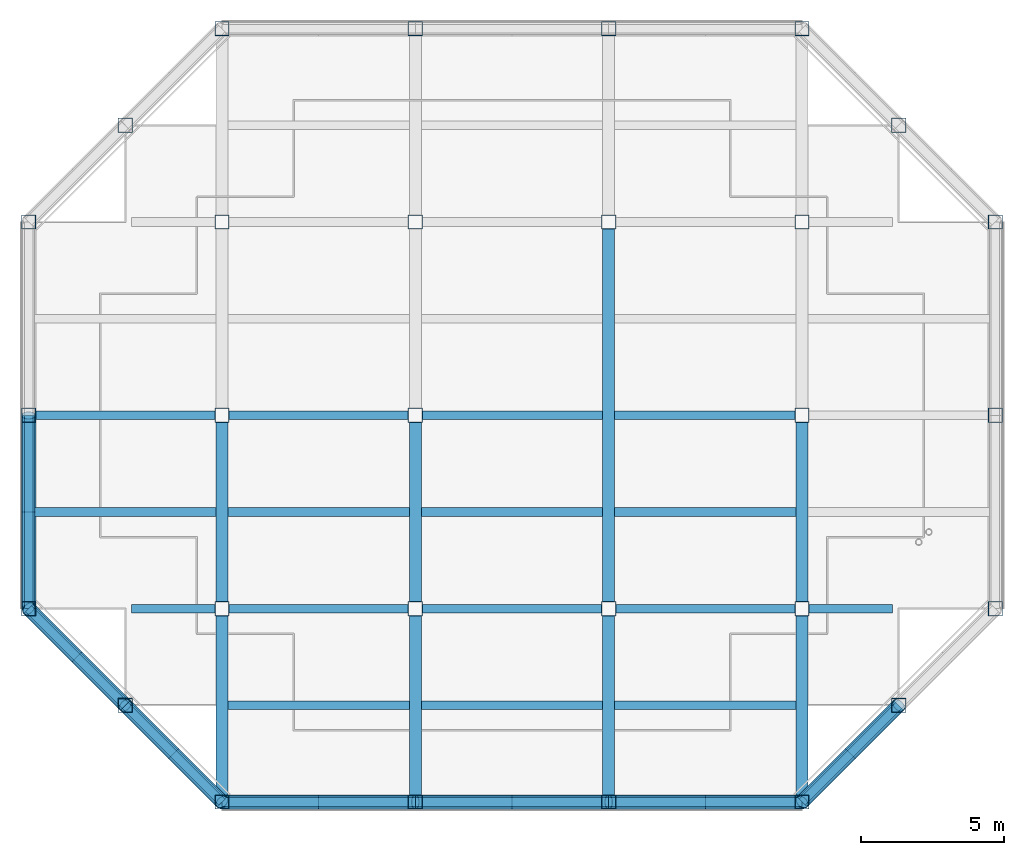
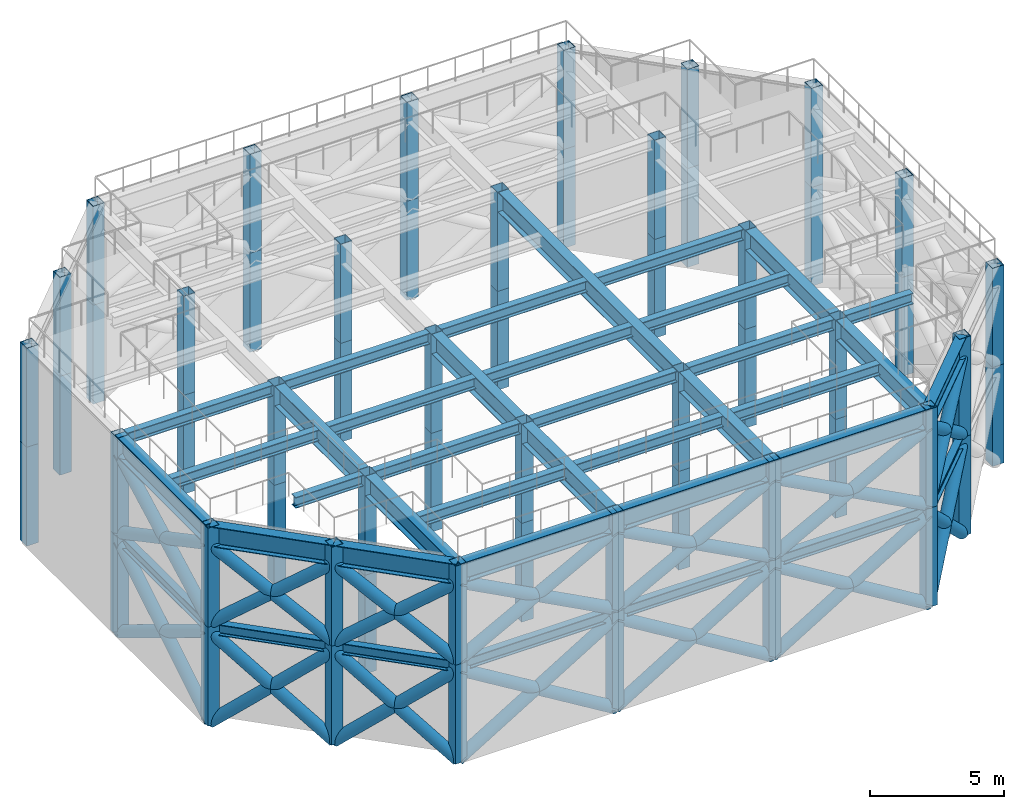
# One storey, part 1 of 5: 58 columns, 38 beams, 28 members.
"""IFC4 building model written with IfcOpenShell, lengths in metres."""

import ifcopenshell
import ifcopenshell.guid

model = None  # the IFC model being written
_history = None  # IfcOwnerHistory: only IFC2X3 demands one
_inside = {}  # id of a spatial element -> (the spatial element, [elements in it])
_under = {}  # id of a project, library or spatial element -> (it, [spatial elements below it])
_declared = {}  # id of a project -> (the project, [libraries it declares])
_typed = {}  # id of a type object -> (the type object, [elements of that type])
_made_of = {}  # id of a material, layer set ... -> (it, [elements and type objects made of it])


def new_model(schema):
    """Start an empty IFC model of exactly this schema.

    Asked for "IFC4X3", IfcOpenShell would pick the latest addendum, in which some entities
    have other attributes; the version numbers below select the first issue.
    IFC2X3 requires an IfcOwnerHistory on every rooted entity: one is made here for all.
    """
    global model, _history
    if schema == "IFC4X3":
        model = ifcopenshell.file(schema_version=(4, 3, 0, 0))
    else:
        model = ifcopenshell.file(schema=schema)
    _inside.clear()
    _under.clear()
    _declared.clear()
    _typed.clear()
    _made_of.clear()
    _history = None
    if model.schema == "IFC2X3":
        org = make("IfcOrganization", Name="unknown")
        user = make(
            "IfcPersonAndOrganization",
            ThePerson=make("IfcPerson", FamilyName="unknown"),
            TheOrganization=org,
        )
        app = make(
            "IfcApplication",
            ApplicationDeveloper=org,
            Version="unknown",
            ApplicationFullName="unknown",
            ApplicationIdentifier="unknown",
        )
        _history = make(
            "IfcOwnerHistory",
            OwningUser=user,
            OwningApplication=app,
            ChangeAction="ADDED",
            CreationDate=0,
        )
    return model


def make(cls, **values):
    """One entity of the class cls with the attributes given. An attribute that is None is left unset."""
    return model.create_entity(
        cls, **{name: value for name, value in values.items() if value is not None}
    )


def rooted(cls, **values):
    """An entity with a GlobalId (a new one), such as an element, a storey or a relation."""
    return make(cls, GlobalId=ifcopenshell.guid.new(), OwnerHistory=_history, **values)


def si_unit(unit_type, name, prefix=None):
    """IfcSIUnit, for example si_unit("LENGTHUNIT", "METRE", prefix="MILLI")."""
    return make("IfcSIUnit", UnitType=unit_type, Prefix=prefix, Name=name)


def assignment(units):
    """IfcUnitAssignment: the units of a project."""
    return None if units is None else make("IfcUnitAssignment", Units=units)


def point(xyz):
    """IfcCartesianPoint."""
    return None if xyz is None else make("IfcCartesianPoint", Coordinates=xyz)


def direction(xyz):
    """IfcDirection."""
    return None if xyz is None else make("IfcDirection", DirectionRatios=xyz)


def frame(location, z_axis=None, x_axis=None):
    """IfcAxis2Placement3D, a coordinate frame: its origin and axes. An axis left out is left unset."""
    return make(
        "IfcAxis2Placement3D",
        Location=point(location),
        Axis=direction(z_axis),
        RefDirection=direction(x_axis),
    )


def frame_2d(location, x_axis=None):
    """IfcAxis2Placement2D, a coordinate frame in the plane: its origin and x axis."""
    return make(
        "IfcAxis2Placement2D", Location=point(location), RefDirection=direction(x_axis)
    )


def origin():
    """The frame at (0, 0, 0) with its axes left unset."""
    return frame((0.0, 0.0, 0.0))


def origin_2d():
    """The frame at (0, 0) in the plane with its x axis left unset."""
    return frame_2d((0.0, 0.0))


def place(relative_to, where):
    """IfcLocalPlacement: puts the frame where relative to a parent placement (None: the world)."""
    return make(
        "IfcLocalPlacement", PlacementRelTo=relative_to, RelativePlacement=where
    )


def context(
    kind, dimensions, precision=None, world=None, true_north=None, identifier=None
):
    """IfcGeometricRepresentationContext, for example the 3D "Model" context."""
    return make(
        "IfcGeometricRepresentationContext",
        ContextIdentifier=identifier,
        ContextType=kind,
        CoordinateSpaceDimension=dimensions,
        Precision=precision,
        WorldCoordinateSystem=world,
        TrueNorth=true_north,
    )


def subcontext(parent, identifier, kind, view, scale=None):
    """IfcGeometricRepresentationSubContext, for example "Body" below "Model"."""
    return make(
        "IfcGeometricRepresentationSubContext",
        ContextIdentifier=identifier,
        ContextType=kind,
        ParentContext=parent,
        TargetScale=scale,
        TargetView=view,
    )


def project(units=None, contexts=None):
    """IfcProject with its units and contexts."""
    return rooted(
        "IfcProject",
        Name="project",
        RepresentationContexts=contexts,
        UnitsInContext=assignment(units),
    )


def spatial(cls, under=None, at=None, **own):
    """A site, building, storey or space (cls), placed at a placement, below another one or the project."""
    s = rooted(cls, ObjectPlacement=at, **own)
    if under is not None:
        _under.setdefault(under.id(), (under, []))[1].append(s)
    return s


def profile(cls, at=None, kind="AREA", **sizes):
    """A parametric profile (cls). Its sizes go by their IFC names, for example OverallWidth=200.0."""
    return make(cls, ProfileType=kind, Position=at, **sizes)


def hollow_rectangle(**sizes):
    """IfcRectangleHollowProfileDef."""
    return profile("IfcRectangleHollowProfileDef", **sizes)


def hollow_circle(**sizes):
    """IfcCircleHollowProfileDef."""
    return profile("IfcCircleHollowProfileDef", **sizes)


def i_section(**sizes):
    """IfcIShapeProfileDef."""
    return profile("IfcIShapeProfileDef", **sizes)


def extrude(swept, where, along, depth):
    """IfcExtrudedAreaSolid: the profile swept, set in the frame where, extruded along a direction by depth."""
    return make(
        "IfcExtrudedAreaSolid",
        SweptArea=swept,
        Position=where,
        ExtrudedDirection=direction(along),
        Depth=depth,
    )


def shape(context_of_items, identifier, shape_type, items):
    """IfcShapeRepresentation: the items that make up one representation, for example the "Body"."""
    return make(
        "IfcShapeRepresentation",
        ContextOfItems=context_of_items,
        RepresentationIdentifier=identifier,
        RepresentationType=shape_type,
        Items=items,
    )


def material(Name=None, Category=None):
    """IfcMaterial."""
    return make("IfcMaterial", Name=Name, Category=Category)


def material_profile(
    of_material, cross_section, Name=None, Category=None, Priority=None
):
    """IfcMaterialProfile: a cross section and its material."""
    return make(
        "IfcMaterialProfile",
        Name=Name,
        Material=of_material,
        Profile=cross_section,
        Priority=Priority,
        Category=Category,
    )


def profile_set(profiles, Name=None, composite=None):
    """IfcMaterialProfileSet."""
    return make(
        "IfcMaterialProfileSet",
        Name=Name,
        MaterialProfiles=profiles,
        CompositeProfile=composite,
    )


def made_of(thing, what):
    """Note that an element or type object is made of a material, layer set ...; save() writes the relation."""
    if what is not None:
        _made_of.setdefault(what.id(), (what, []))[1].append(thing)
    return thing


def type_object(cls, material=None, **own):
    """A type object (cls), such as IfcWallType, which elements share."""
    return made_of(rooted(cls, **own), material)


def element(
    cls,
    number,
    at=None,
    inside=None,
    cuts=None,
    type_object=None,
    material=None,
    context=None,
    identifier="Body",
    shape_type=None,
    held_by="IfcProductDefinitionShape",
    body=None,
    shapes=None,
    **own,
):
    """One element of the class cls, such as IfcWall. Its Tag is "e" and its number.

    at: its placement. inside: the storey or other place that contains it. cuts: it is an
    opening in that element (IfcRelVoidsElement). A single representation is given by context,
    identifier, shape_type and body (its items); several are given by shapes. held_by: the class
    of the entity that holds the representations. save() writes the other relations.
    """
    e = rooted(cls, Tag="e%d" % number, ObjectPlacement=at, **own)
    if body is not None:
        shapes = [shape(context, identifier, shape_type, body)]
    if shapes is not None:
        e.Representation = make(held_by, Representations=shapes)
    if inside is not None:
        _inside.setdefault(inside.id(), (inside, []))[1].append(e)
    if cuts is not None:
        rooted(
            "IfcRelVoidsElement", RelatingBuildingElement=cuts, RelatedOpeningElement=e
        )
    if type_object is not None:
        _typed.setdefault(type_object.id(), (type_object, []))[1].append(e)
    return made_of(e, material)


def aggregate(whole, parts):
    """IfcRelAggregates: a whole, such as a stair, and the parts it consists of."""
    return rooted("IfcRelAggregates", RelatingObject=whole, RelatedObjects=parts)


def save(model, path):
    """Write the relations noted so far, then the file.

    IfcRelAggregates (storeys below a building ...), IfcRelContainedInSpatialStructure (elements
    in a storey), IfcRelDefinesByType, IfcRelAssociatesMaterial and IfcRelDeclares: one each for
    every whole, place, type object, material and project.
    """
    for whole, parts in _under.values():
        aggregate(whole, parts)
    for where, things in _inside.values():
        rooted(
            "IfcRelContainedInSpatialStructure",
            RelatedElements=things,
            RelatingStructure=where,
        )
    for kind, things in _typed.values():
        rooted("IfcRelDefinesByType", RelatedObjects=things, RelatingType=kind)
    for what, things in _made_of.values():
        rooted("IfcRelAssociatesMaterial", RelatedObjects=things, RelatingMaterial=what)
    for by, libraries in _declared.values():
        rooted("IfcRelDeclares", RelatingContext=by, RelatedDefinitions=libraries)
    model.write(path)


model = new_model("IFC4")

# Units and contexts
model_context = context("Model", 3, precision=1e-05, world=origin(), true_north=direction((0.0, 1.0)))
body_context = subcontext(model_context, "Body", "Model", "MODEL_VIEW")
ifc_project = project(units=[si_unit("LENGTHUNIT", "METRE"), si_unit("AREAUNIT", "SQUARE_METRE"), si_unit("VOLUMEUNIT", "CUBIC_METRE"), si_unit("PLANEANGLEUNIT", "RADIAN"), si_unit("MASSUNIT", "GRAM", prefix="KILO")], contexts=[model_context])

# Site, building, storey
site_placement = place(None, origin())
site = spatial("IfcSite", under=ifc_project, at=site_placement, CompositionType="ELEMENT")
building_placement = place(site_placement, origin())
building = spatial("IfcBuilding", under=site, at=building_placement, Name="Nyansa Garden Tower", CompositionType="ELEMENT")
storey_placement = place(building_placement, frame((0.0, 0.0, 259.199951171875)))
storey = spatial("IfcBuildingStorey", under=building, at=storey_placement, Name="L70", CompositionType="ELEMENT", Elevation=259.199951171875)

# Columns
ifc_material_1 = material(Name="Steel S355", Category="steel")
ifc_material_profile_1 = material_profile(ifc_material_1, hollow_rectangle(XDim=0.5, YDim=0.5, WallThickness=0.02001953125, at=origin_2d()), Name="SHS 500x500x20")
ifc_profile_set_1 = profile_set([ifc_material_profile_1], Name="Steel S355")
column_type = type_object("IfcColumnType", Name="Crown frame post SHS 500x500x20", PredefinedType="COLUMN", material=ifc_profile_set_1)
for number, where, z_axis, x_axis, name in (
    (1, (0.0, 13.5, 0.0), (0.0, 0.0, 1.0), (1.0, 0.0, 0.0), "Crown frame post 2/F lift 1"),
    (2, (0.0, 13.5, 4.5), (0.0, 0.0, 1.0), (1.0, 0.0, 0.0), "Crown frame post 2/F lift 2"),
    (3, (0.0, 20.25, 0.0), (0.0, 0.0, 1.0), (1.0, 0.0, 0.0), "Crown frame post 2/G lift 1"),
    (4, (0.0, 20.25, 4.5), (0.0, 0.0, 1.0), (1.0, 0.0, 0.0), "Crown frame post 2/G lift 2"),
    (5, (0.0, 27.0, 0.0), (0.0, 0.0, 1.0), (1.0, 0.0, 0.0), "Crown frame post 2/H lift 1"),
    (6, (0.0, 27.0, 4.5), (0.0, 0.0, 1.0), (1.0, 0.0, 0.0), "Crown frame post 2/H lift 2"),
    (7, (3.375, 10.125, 0.0), (0.0, 0.0, 1.0), (1.0, 0.0, 0.0), "Crown frame post 3.375/10.125 lift 1"),
    (8, (3.375, 10.125, 4.5), (0.0, 0.0, 1.0), (1.0, 0.0, 0.0), "Crown frame post 3.375/10.125 lift 2"),
    (9, (3.375, 30.375, 0.0), (0.0, 0.0, 1.0), (1.0, 0.0, 0.0), "Crown frame post 3.375/30.375 lift 1"),
    (10, (3.375, 30.375, 4.5), (0.0, 0.0, 1.0), (1.0, 0.0, 0.0), "Crown frame post 3.375/30.375 lift 2"),
    (11, (6.75, 6.75, 0.0), (0.0, 0.0, 1.0), (1.0, 0.0, 0.0), "Crown frame post 3/E lift 1"),
    (12, (6.75, 6.75, 4.5), (0.0, 0.0, 1.0), (1.0, 0.0, 0.0), "Crown frame post 3/E lift 2"),
    (13, (6.75, 33.75, 0.0), (0.0, 0.0, 1.0), (1.0, 0.0, 0.0), "Crown frame post 3/J lift 1"),
    (14, (6.75, 33.75, 4.5), (0.0, 0.0, 1.0), (1.0, 0.0, 0.0), "Crown frame post 3/J lift 2"),
    (15, (13.5, 6.75, 0.0), (0.0, 0.0, 1.0), (1.0, 0.0, 0.0), "Crown frame post 4/E lift 1"),
    (16, (13.5, 6.75, 4.5), (0.0, 0.0, 1.0), (1.0, 0.0, 0.0), "Crown frame post 4/E lift 2"),
    (17, (13.5, 33.75, 0.0), (0.0, 0.0, 1.0), (1.0, 0.0, 0.0), "Crown frame post 4/J lift 1"),
    (18, (13.5, 33.75, 4.5), (0.0, 0.0, 1.0), (1.0, 0.0, 0.0), "Crown frame post 4/J lift 2"),
    (19, (20.25, 6.75, 0.0), (0.0, 0.0, 1.0), (1.0, 0.0, 0.0), "Crown frame post 5/E lift 1"),
    (20, (20.25, 6.75, 4.5), (0.0, 0.0, 1.0), (1.0, 0.0, 0.0), "Crown frame post 5/E lift 2"),
    (21, (20.25, 33.75, 0.0), (0.0, 0.0, 1.0), (1.0, 0.0, 0.0), "Crown frame post 5/J lift 1"),
    (22, (20.25, 33.75, 4.5), (0.0, 0.0, 1.0), (1.0, 0.0, 0.0), "Crown frame post 5/J lift 2"),
    (23, (27.0, 6.75, 0.0), (0.0, 0.0, 1.0), (1.0, 0.0, 0.0), "Crown frame post 6/E lift 1"),
    (24, (27.0, 6.75, 4.5), (0.0, 0.0, 1.0), (1.0, 0.0, 0.0), "Crown frame post 6/E lift 2"),
    (25, (27.0, 33.75, 0.0), (0.0, 0.0, 1.0), (1.0, 0.0, 0.0), "Crown frame post 6/J lift 1"),
    (26, (27.0, 33.75, 4.5), (0.0, 0.0, 1.0), (1.0, 0.0, 0.0), "Crown frame post 6/J lift 2"),
    (27, (30.375, 10.125, 0.0), (0.0, 0.0, 1.0), (1.0, 0.0, 0.0), "Crown frame post 30.375/10.125 lift 1"),
    (28, (30.375, 10.125, 4.5), (0.0, 0.0, 1.0), (1.0, 0.0, 0.0), "Crown frame post 30.375/10.125 lift 2"),
    (29, (30.375, 30.375, 0.0), (0.0, 0.0, 1.0), (1.0, 0.0, 0.0), "Crown frame post 30.375/30.375 lift 1"),
    (30, (30.375, 30.375, 4.5), (0.0, 0.0, 1.0), (1.0, 0.0, 0.0), "Crown frame post 30.375/30.375 lift 2"),
    (31, (33.75, 13.5, 0.0), (0.0, 0.0, 1.0), (1.0, 0.0, 0.0), "Crown frame post 7/F lift 1"),
    (32, (33.75, 13.5, 4.5), (0.0, 0.0, 1.0), (1.0, 0.0, 0.0), "Crown frame post 7/F lift 2"),
    (33, (33.75, 20.25, 0.0), (0.0, 0.0, 1.0), (1.0, 0.0, 0.0), "Crown frame post 7/G lift 1"),
    (34, (33.75, 20.25, 4.5), (0.0, 0.0, 1.0), (1.0, 0.0, 0.0), "Crown frame post 7/G lift 2"),
    (35, (33.75, 27.0, 0.0), (0.0, 0.0, 1.0), (1.0, 0.0, 0.0), "Crown frame post 7/H lift 1"),
    (36, (33.75, 27.0, 4.5), (0.0, 0.0, 1.0), (1.0, 0.0, 0.0), "Crown frame post 7/H lift 2"),
    (37, (6.75, 13.5, 0.0), (0.0, 0.0, 1.0), (1.0, 0.0, 0.0), "Crown frame post 3/F lift 1"),
    (38, (6.75, 13.5, 4.5), (0.0, 0.0, 1.0), (1.0, 0.0, 0.0), "Crown frame post 3/F lift 2"),
    (39, (6.75, 20.25, 0.0), (0.0, 0.0, 1.0), (1.0, 0.0, 0.0), "Crown frame post 3/G lift 1"),
    (40, (6.75, 20.25, 4.5), (0.0, 0.0, 1.0), (1.0, 0.0, 0.0), "Crown frame post 3/G lift 2"),
    (41, (6.75, 27.0, 0.0), (0.0, 0.0, 1.0), (1.0, 0.0, 0.0), "Crown frame post 3/H lift 1"),
    (42, (6.75, 27.0, 4.5), (0.0, 0.0, 1.0), (1.0, 0.0, 0.0), "Crown frame post 3/H lift 2"),
    (43, (13.5, 13.5, 0.0), (0.0, 0.0, 1.0), (1.0, 0.0, 0.0), "Crown frame post 4/F lift 1"),
    (44, (13.5, 13.5, 4.5), (0.0, 0.0, 1.0), (1.0, 0.0, 0.0), "Crown frame post 4/F lift 2"),
    (45, (13.5, 20.25, 0.0), (0.0, 0.0, 1.0), (1.0, 0.0, 0.0), "Crown frame post 4/G lift 1"),
    (46, (13.5, 20.25, 4.5), (0.0, 0.0, 1.0), (1.0, 0.0, 0.0), "Crown frame post 4/G lift 2"),
    (47, (13.5, 27.0, 0.0), (0.0, 0.0, 1.0), (1.0, 0.0, 0.0), "Crown frame post 4/H lift 1"),
    (48, (13.5, 27.0, 4.5), (0.0, 0.0, 1.0), (1.0, 0.0, 0.0), "Crown frame post 4/H lift 2"),
    (49, (20.25, 13.5, 0.0), (0.0, 0.0, 1.0), (1.0, 0.0, 0.0), "Crown frame post 5/F lift 1"),
    (50, (20.25, 13.5, 4.5), (0.0, 0.0, 1.0), (1.0, 0.0, 0.0), "Crown frame post 5/F lift 2"),
    (51, (20.25, 27.0, 0.0), (0.0, 0.0, 1.0), (1.0, 0.0, 0.0), "Crown frame post 5/H lift 1"),
    (52, (20.25, 27.0, 4.5), (0.0, 0.0, 1.0), (1.0, 0.0, 0.0), "Crown frame post 5/H lift 2"),
    (53, (27.0, 13.5, 0.0), (0.0, 0.0, 1.0), (1.0, 0.0, 0.0), "Crown frame post 6/F lift 1"),
    (54, (27.0, 13.5, 4.5), (0.0, 0.0, 1.0), (1.0, 0.0, 0.0), "Crown frame post 6/F lift 2"),
    (55, (27.0, 20.25, 0.0), (0.0, 0.0, 1.0), (1.0, 0.0, 0.0), "Crown frame post 6/G lift 1"),
    (56, (27.0, 20.25, 4.5), (0.0, 0.0, 1.0), (1.0, 0.0, 0.0), "Crown frame post 6/G lift 2"),
    (57, (27.0, 27.0, 0.0), (0.0, 0.0, 1.0), (1.0, 0.0, 0.0), "Crown frame post 6/H lift 1"),
    (58, (27.0, 27.0, 4.5), (0.0, 0.0, 1.0), (1.0, 0.0, 0.0), "Crown frame post 6/H lift 2"),
):
    element("IfcColumn", number, at=place(storey_placement, frame(where, z_axis=z_axis, x_axis=x_axis)), inside=storey, type_object=column_type, Name=name, PredefinedType="COLUMN", context=body_context, shape_type="SweptSolid", body=[
        extrude(hollow_rectangle(XDim=0.5, YDim=0.5, WallThickness=0.02001953125, at=origin_2d()), origin(), (0.0, 0.0, 1.0), 4.5),
    ])

# Beams
ifc_material_2 = material(Name="Steel S355", Category="steel")
ifc_material_profile_2 = material_profile(ifc_material_2, i_section(OverallWidth=0.422119140625, OverallDepth=0.9189453125, WebThickness=0.0166015625, FlangeThickness=0.030029296875, FilletRadius=0.02392578125, at=origin_2d()), Name="HL 920x390")
ifc_profile_set_2 = profile_set([ifc_material_profile_2], Name="Steel S355")
beam_type_1 = type_object("IfcBeamType", Name="Crown frame cap ring HL 920x390", PredefinedType="BEAM", material=ifc_profile_set_2)
beam_1_placement = place(storey_placement, frame((30.375, 10.125, 8.54052734375), z_axis=(-0.707106781187, -0.707106781187, 0.0), x_axis=(0.707106781187, -0.707106781187, 0.0)))
element("IfcBeam", 59, at=beam_1_placement, inside=storey, type_object=beam_type_1, Name="Crown frame cap ring 30.375/10.125-6/E", PredefinedType="BEAM", context=body_context, shape_type="SweptSolid", body=[
    extrude(i_section(OverallWidth=0.422119140625, OverallDepth=0.9189453125, WebThickness=0.0166015625, FlangeThickness=0.030029296875, FilletRadius=0.02392578125, at=origin_2d()), origin(), (0.0, 0.0, 1.0), 4.77294921875),
])
for number, where, z_axis, x_axis, name in (
    (60, (27.0, 6.75, 8.54052734375), (-1.0, 0.0, 0.0), (0.0, -1.0, 0.0), "Crown frame cap ring 6/E-5/E"),
    (61, (20.25, 6.75, 8.54052734375), (-1.0, 0.0, 0.0), (0.0, -1.0, 0.0), "Crown frame cap ring 5/E-4/E"),
    (62, (13.5, 6.75, 8.54052734375), (-1.0, 0.0, 0.0), (0.0, -1.0, 0.0), "Crown frame cap ring 4/E-3/E"),
):
    element("IfcBeam", number, at=place(storey_placement, frame(where, z_axis=z_axis, x_axis=x_axis)), inside=storey, type_object=beam_type_1, Name=name, PredefinedType="BEAM", context=body_context, shape_type="SweptSolid", body=[
        extrude(i_section(OverallWidth=0.422119140625, OverallDepth=0.9189453125, WebThickness=0.0166015625, FlangeThickness=0.030029296875, FilletRadius=0.02392578125, at=origin_2d()), origin(), (0.0, 0.0, 1.0), 6.75),
    ])
for number, where, z_axis, x_axis, name in (
    (63, (6.75, 6.75, 8.54052734375), (-0.707106781187, 0.707106781187, 0.0), (-0.707106781187, -0.707106781187, 0.0), "Crown frame cap ring 3/E-3.375/10.125"),
    (64, (3.375, 10.125, 8.54052734375), (-0.707106781187, 0.707106781187, 0.0), (-0.707106781187, -0.707106781187, 0.0), "Crown frame cap ring 3.375/10.125-2/F"),
):
    element("IfcBeam", number, at=place(storey_placement, frame(where, z_axis=z_axis, x_axis=x_axis)), inside=storey, type_object=beam_type_1, Name=name, PredefinedType="BEAM", context=body_context, shape_type="SweptSolid", body=[
        extrude(i_section(OverallWidth=0.422119140625, OverallDepth=0.9189453125, WebThickness=0.0166015625, FlangeThickness=0.030029296875, FilletRadius=0.02392578125, at=origin_2d()), origin(), (0.0, 0.0, 1.0), 4.77294921875),
    ])
beam_2_placement = place(storey_placement, frame((0.0, 13.5, 8.54052734375), z_axis=(0.0, 1.0, 0.0), x_axis=(-1.0, 0.0, 0.0)))
element("IfcBeam", 65, at=beam_2_placement, inside=storey, type_object=beam_type_1, Name="Crown frame cap ring 2/F-2/G", PredefinedType="BEAM", context=body_context, shape_type="SweptSolid", body=[
    extrude(i_section(OverallWidth=0.422119140625, OverallDepth=0.9189453125, WebThickness=0.0166015625, FlangeThickness=0.030029296875, FilletRadius=0.02392578125, at=origin_2d()), origin(), (0.0, 0.0, 1.0), 6.75),
])
for number, where, z_axis, x_axis, name in (
    (66, (6.75, 7.0, 8.54052734375), (0.0, 1.0, 0.0), (-1.0, 0.0, 0.0), "Crown frame cap girder 1"),
    (67, (6.75, 13.75, 8.54052734375), (0.0, 1.0, 0.0), (-1.0, 0.0, 0.0), "Crown frame cap girder 2"),
    (68, (13.5, 7.0, 8.54052734375), (0.0, 1.0, 0.0), (-1.0, 0.0, 0.0), "Crown frame cap girder 5"),
    (69, (13.5, 13.75, 8.54052734375), (0.0, 1.0, 0.0), (-1.0, 0.0, 0.0), "Crown frame cap girder 6"),
    (70, (20.25, 7.0, 8.54052734375), (0.0, 1.0, 0.0), (-1.0, 0.0, 0.0), "Crown frame cap girder 9"),
):
    element("IfcBeam", number, at=place(storey_placement, frame(where, z_axis=z_axis, x_axis=x_axis)), inside=storey, type_object=beam_type_1, Name=name, PredefinedType="BEAM", context=body_context, shape_type="SweptSolid", body=[
        extrude(i_section(OverallWidth=0.422119140625, OverallDepth=0.9189453125, WebThickness=0.0166015625, FlangeThickness=0.030029296875, FilletRadius=0.02392578125, at=origin_2d()), origin(), (0.0, 0.0, 1.0), 6.25),
    ])
beam_3_placement = place(storey_placement, frame((20.25, 13.75, 8.54052734375), z_axis=(0.0, 1.0, 0.0), x_axis=(-1.0, 0.0, 0.0)))
element("IfcBeam", 71, at=beam_3_placement, inside=storey, type_object=beam_type_1, Name="Crown frame cap girder 10", PredefinedType="BEAM", context=body_context, shape_type="SweptSolid", body=[
    extrude(i_section(OverallWidth=0.422119140625, OverallDepth=0.9189453125, WebThickness=0.0166015625, FlangeThickness=0.030029296875, FilletRadius=0.02392578125, at=origin_2d()), origin(), (0.0, 0.0, 1.0), 13.0),
])
for number, where, z_axis, x_axis, name in (
    (72, (27.0, 7.0, 8.54052734375), (0.0, 1.0, 0.0), (-1.0, 0.0, 0.0), "Crown frame cap girder 12"),
    (73, (27.0, 13.75, 8.54052734375), (0.0, 1.0, 0.0), (-1.0, 0.0, 0.0), "Crown frame cap girder 13"),
):
    element("IfcBeam", number, at=place(storey_placement, frame(where, z_axis=z_axis, x_axis=x_axis)), inside=storey, type_object=beam_type_1, Name=name, PredefinedType="BEAM", context=body_context, shape_type="SweptSolid", body=[
        extrude(i_section(OverallWidth=0.422119140625, OverallDepth=0.9189453125, WebThickness=0.0166015625, FlangeThickness=0.030029296875, FilletRadius=0.02392578125, at=origin_2d()), origin(), (0.0, 0.0, 1.0), 6.25),
    ])

# Members
ifc_material_3 = material(Name="Steel S355", Category="steel")
ifc_material_profile_3 = material_profile(ifc_material_3, hollow_circle(Radius=0.25390625, WallThickness=0.01611328125, at=origin_2d()), Name="CHS 508x16")
ifc_profile_set_3 = profile_set([ifc_material_profile_3], Name="Steel S355")
member_type = type_object("IfcMemberType", Name="Crown frame rib CHS 508x16", PredefinedType="BRACE", material=ifc_profile_set_3)
for number, where, z_axis, x_axis, name in (
    (74, (30.375, 10.125, 4.5), (-0.56560995683, -0.56560995683, 0.600142277689), (0.707106781187, -0.707106781187, 0.0), "Crown frame rib 2a"),
    (75, (27.0, 6.75, 4.5), (0.56560995683, 0.56560995683, 0.600142277689), (-0.707106781187, 0.707106781187, 0.0), "Crown frame rib 2b"),
):
    element("IfcMember", number, at=place(storey_placement, frame(where, z_axis=z_axis, x_axis=x_axis)), inside=storey, type_object=member_type, Name=name, PredefinedType="BRACE", context=body_context, shape_type="SweptSolid", body=[
        extrude(hollow_circle(Radius=0.25390625, WallThickness=0.01611328125, at=origin_2d()), origin(), (0.0, 0.0, 1.0), 5.967041015625),
    ])
for number, where, z_axis, x_axis, name in (
    (76, (30.375, 10.125, 0.0), (-0.536376544624, -0.536376544624, 0.651613692884), (0.707106781187, -0.707106781187, 0.0), "Crown frame rib 2c"),
    (77, (27.0, 6.75, 0.0), (0.536376544624, 0.536376544624, 0.651613692884), (-0.707106781187, 0.707106781187, 0.0), "Crown frame rib 2d"),
):
    element("IfcMember", number, at=place(storey_placement, frame(where, z_axis=z_axis, x_axis=x_axis)), inside=storey, type_object=member_type, Name=name, PredefinedType="BRACE", context=body_context, shape_type="SweptSolid", body=[
        extrude(hollow_circle(Radius=0.25390625, WallThickness=0.01611328125, at=origin_2d()), origin(), (0.0, 0.0, 1.0), 6.292236328125),
    ])
for number, where, z_axis, x_axis, name in (
    (78, (27.0, 6.75, 4.5), (-0.883380336278, 0.0, 0.468656784307), (0.0, -1.0, 0.0), "Crown frame rib 3a"),
    (79, (20.25, 6.75, 4.5), (0.883380336278, 0.0, 0.468656784307), (0.0, 1.0, 0.0), "Crown frame rib 3b"),
):
    element("IfcMember", number, at=place(storey_placement, frame(where, z_axis=z_axis, x_axis=x_axis)), inside=storey, type_object=member_type, Name=name, PredefinedType="BRACE", context=body_context, shape_type="SweptSolid", body=[
        extrude(hollow_circle(Radius=0.25390625, WallThickness=0.01611328125, at=origin_2d()), origin(), (0.0, 0.0, 1.0), 7.64111328125),
    ])
for number, where, z_axis, x_axis, name in (
    (80, (27.0, 6.75, 0.0), (-0.854681707701, 0.0, 0.51915236542), (0.0, -1.0, 0.0), "Crown frame rib 3c"),
    (81, (20.25, 6.75, 0.0), (0.854681707701, 0.0, 0.51915236542), (0.0, 1.0, 0.0), "Crown frame rib 3d"),
):
    element("IfcMember", number, at=place(storey_placement, frame(where, z_axis=z_axis, x_axis=x_axis)), inside=storey, type_object=member_type, Name=name, PredefinedType="BRACE", context=body_context, shape_type="SweptSolid", body=[
        extrude(hollow_circle(Radius=0.25390625, WallThickness=0.01611328125, at=origin_2d()), origin(), (0.0, 0.0, 1.0), 7.897705078125),
    ])
for number, where, z_axis, x_axis, name in (
    (82, (20.25, 6.75, 4.5), (-0.883380336278, 0.0, 0.468656784307), (0.0, -1.0, 0.0), "Crown frame rib 4a"),
    (83, (13.5, 6.75, 4.5), (0.883380336278, 0.0, 0.468656784307), (0.0, 1.0, 0.0), "Crown frame rib 4b"),
):
    element("IfcMember", number, at=place(storey_placement, frame(where, z_axis=z_axis, x_axis=x_axis)), inside=storey, type_object=member_type, Name=name, PredefinedType="BRACE", context=body_context, shape_type="SweptSolid", body=[
        extrude(hollow_circle(Radius=0.25390625, WallThickness=0.01611328125, at=origin_2d()), origin(), (0.0, 0.0, 1.0), 7.64111328125),
    ])
for number, where, z_axis, x_axis, name in (
    (84, (20.25, 6.75, 0.0), (-0.854681707701, 0.0, 0.51915236542), (0.0, -1.0, 0.0), "Crown frame rib 4c"),
    (85, (13.5, 6.75, 0.0), (0.854681707701, 0.0, 0.51915236542), (0.0, 1.0, 0.0), "Crown frame rib 4d"),
):
    element("IfcMember", number, at=place(storey_placement, frame(where, z_axis=z_axis, x_axis=x_axis)), inside=storey, type_object=member_type, Name=name, PredefinedType="BRACE", context=body_context, shape_type="SweptSolid", body=[
        extrude(hollow_circle(Radius=0.25390625, WallThickness=0.01611328125, at=origin_2d()), origin(), (0.0, 0.0, 1.0), 7.897705078125),
    ])
for number, where, z_axis, x_axis, name in (
    (86, (13.5, 6.75, 4.5), (-0.883380336278, 0.0, 0.468656784307), (0.0, -1.0, 0.0), "Crown frame rib 5a"),
    (87, (6.75, 6.75, 4.5), (0.883380336278, 0.0, 0.468656784307), (0.0, 1.0, 0.0), "Crown frame rib 5b"),
):
    element("IfcMember", number, at=place(storey_placement, frame(where, z_axis=z_axis, x_axis=x_axis)), inside=storey, type_object=member_type, Name=name, PredefinedType="BRACE", context=body_context, shape_type="SweptSolid", body=[
        extrude(hollow_circle(Radius=0.25390625, WallThickness=0.01611328125, at=origin_2d()), origin(), (0.0, 0.0, 1.0), 7.64111328125),
    ])
for number, where, z_axis, x_axis, name in (
    (88, (13.5, 6.75, 0.0), (-0.854681707701, 0.0, 0.51915236542), (0.0, -1.0, 0.0), "Crown frame rib 5c"),
    (89, (6.75, 6.75, 0.0), (0.854681707701, 0.0, 0.51915236542), (0.0, 1.0, 0.0), "Crown frame rib 5d"),
):
    element("IfcMember", number, at=place(storey_placement, frame(where, z_axis=z_axis, x_axis=x_axis)), inside=storey, type_object=member_type, Name=name, PredefinedType="BRACE", context=body_context, shape_type="SweptSolid", body=[
        extrude(hollow_circle(Radius=0.25390625, WallThickness=0.01611328125, at=origin_2d()), origin(), (0.0, 0.0, 1.0), 7.897705078125),
    ])
for number, where, z_axis, x_axis, name in (
    (90, (6.75, 6.75, 4.5), (-0.56560995683, 0.56560995683, 0.600142277689), (-0.707106781187, -0.707106781187, 0.0), "Crown frame rib 6a"),
    (91, (3.375, 10.125, 4.5), (0.56560995683, -0.56560995683, 0.600142277689), (0.707106781187, 0.707106781187, 0.0), "Crown frame rib 6b"),
):
    element("IfcMember", number, at=place(storey_placement, frame(where, z_axis=z_axis, x_axis=x_axis)), inside=storey, type_object=member_type, Name=name, PredefinedType="BRACE", context=body_context, shape_type="SweptSolid", body=[
        extrude(hollow_circle(Radius=0.25390625, WallThickness=0.01611328125, at=origin_2d()), origin(), (0.0, 0.0, 1.0), 5.967041015625),
    ])
for number, where, z_axis, x_axis, name in (
    (92, (6.75, 6.75, 0.0), (-0.536376544624, 0.536376544624, 0.651613692884), (-0.707106781187, -0.707106781187, 0.0), "Crown frame rib 6c"),
    (93, (3.375, 10.125, 0.0), (0.536376544624, -0.536376544624, 0.651613692884), (0.707106781187, 0.707106781187, 0.0), "Crown frame rib 6d"),
):
    element("IfcMember", number, at=place(storey_placement, frame(where, z_axis=z_axis, x_axis=x_axis)), inside=storey, type_object=member_type, Name=name, PredefinedType="BRACE", context=body_context, shape_type="SweptSolid", body=[
        extrude(hollow_circle(Radius=0.25390625, WallThickness=0.01611328125, at=origin_2d()), origin(), (0.0, 0.0, 1.0), 6.292236328125),
    ])
for number, where, z_axis, x_axis, name in (
    (94, (3.375, 10.125, 4.5), (-0.56560995683, 0.56560995683, 0.600142277689), (-0.707106781187, -0.707106781187, 0.0), "Crown frame rib 7a"),
    (95, (0.0, 13.5, 4.5), (0.56560995683, -0.56560995683, 0.600142277689), (0.707106781187, 0.707106781187, 0.0), "Crown frame rib 7b"),
):
    element("IfcMember", number, at=place(storey_placement, frame(where, z_axis=z_axis, x_axis=x_axis)), inside=storey, type_object=member_type, Name=name, PredefinedType="BRACE", context=body_context, shape_type="SweptSolid", body=[
        extrude(hollow_circle(Radius=0.25390625, WallThickness=0.01611328125, at=origin_2d()), origin(), (0.0, 0.0, 1.0), 5.967041015625),
    ])
for number, where, z_axis, x_axis, name in (
    (96, (3.375, 10.125, 0.0), (-0.536376544624, 0.536376544624, 0.651613692884), (-0.707106781187, -0.707106781187, 0.0), "Crown frame rib 7c"),
    (97, (0.0, 13.5, 0.0), (0.536376544624, -0.536376544624, 0.651613692884), (0.707106781187, 0.707106781187, 0.0), "Crown frame rib 7d"),
):
    element("IfcMember", number, at=place(storey_placement, frame(where, z_axis=z_axis, x_axis=x_axis)), inside=storey, type_object=member_type, Name=name, PredefinedType="BRACE", context=body_context, shape_type="SweptSolid", body=[
        extrude(hollow_circle(Radius=0.25390625, WallThickness=0.01611328125, at=origin_2d()), origin(), (0.0, 0.0, 1.0), 6.292236328125),
    ])
for number, where, z_axis, x_axis, name in (
    (98, (0.0, 13.5, 4.5), (0.0, 0.883380336278, 0.468656784307), (-1.0, 0.0, 0.0), "Crown frame rib 8a"),
    (99, (0.0, 20.25, 4.5), (0.0, -0.883380336278, 0.468656784307), (1.0, 0.0, 0.0), "Crown frame rib 8b"),
):
    element("IfcMember", number, at=place(storey_placement, frame(where, z_axis=z_axis, x_axis=x_axis)), inside=storey, type_object=member_type, Name=name, PredefinedType="BRACE", context=body_context, shape_type="SweptSolid", body=[
        extrude(hollow_circle(Radius=0.25390625, WallThickness=0.01611328125, at=origin_2d()), origin(), (0.0, 0.0, 1.0), 7.64111328125),
    ])
for number, where, z_axis, x_axis, name in (
    (100, (0.0, 13.5, 0.0), (0.0, 0.854681707701, 0.51915236542), (-1.0, 0.0, 0.0), "Crown frame rib 8c"),
    (101, (0.0, 20.25, 0.0), (0.0, -0.854681707701, 0.51915236542), (1.0, 0.0, 0.0), "Crown frame rib 8d"),
):
    element("IfcMember", number, at=place(storey_placement, frame(where, z_axis=z_axis, x_axis=x_axis)), inside=storey, type_object=member_type, Name=name, PredefinedType="BRACE", context=body_context, shape_type="SweptSolid", body=[
        extrude(hollow_circle(Radius=0.25390625, WallThickness=0.01611328125, at=origin_2d()), origin(), (0.0, 0.0, 1.0), 7.897705078125),
    ])

# Beams
ifc_material_4 = material(Name="Steel S355", Category="steel")
ifc_material_profile_4 = material_profile(ifc_material_4, i_section(OverallWidth=0.300048828125, OverallDepth=0.5, WebThickness=0.014404296875, FlangeThickness=0.028076171875, FilletRadius=0.027099609375, at=origin_2d()), Name="HE 500 B")
ifc_profile_set_4 = profile_set([ifc_material_profile_4], Name="Steel S355")
beam_type_2 = type_object("IfcBeamType", Name="Crown frame ring HE 500 B", PredefinedType="BEAM", material=ifc_profile_set_4)
beam_4_placement = place(storey_placement, frame((30.375, 10.125, 4.300048828125), z_axis=(-0.707106781187, -0.707106781187, 0.0), x_axis=(0.707106781187, -0.707106781187, 0.0)))
element("IfcBeam", 102, at=beam_4_placement, inside=storey, type_object=beam_type_2, Name="Crown frame ring 1 30.375/10.125-6/E", PredefinedType="BEAM", context=body_context, shape_type="SweptSolid", body=[
    extrude(i_section(OverallWidth=0.300048828125, OverallDepth=0.5, WebThickness=0.014404296875, FlangeThickness=0.028076171875, FilletRadius=0.027099609375, at=origin_2d()), origin(), (0.0, 0.0, 1.0), 4.77294921875),
])
for number, where, z_axis, x_axis, name in (
    (103, (27.0, 6.75, 4.300048828125), (-1.0, 0.0, 0.0), (0.0, -1.0, 0.0), "Crown frame ring 1 6/E-5/E"),
    (104, (20.25, 6.75, 4.300048828125), (-1.0, 0.0, 0.0), (0.0, -1.0, 0.0), "Crown frame ring 1 5/E-4/E"),
    (105, (13.5, 6.75, 4.300048828125), (-1.0, 0.0, 0.0), (0.0, -1.0, 0.0), "Crown frame ring 1 4/E-3/E"),
):
    element("IfcBeam", number, at=place(storey_placement, frame(where, z_axis=z_axis, x_axis=x_axis)), inside=storey, type_object=beam_type_2, Name=name, PredefinedType="BEAM", context=body_context, shape_type="SweptSolid", body=[
        extrude(i_section(OverallWidth=0.300048828125, OverallDepth=0.5, WebThickness=0.014404296875, FlangeThickness=0.028076171875, FilletRadius=0.027099609375, at=origin_2d()), origin(), (0.0, 0.0, 1.0), 6.75),
    ])
for number, where, z_axis, x_axis, name in (
    (106, (6.75, 6.75, 4.300048828125), (-0.707106781187, 0.707106781187, 0.0), (-0.707106781187, -0.707106781187, 0.0), "Crown frame ring 1 3/E-3.375/10.125"),
    (107, (3.375, 10.125, 4.300048828125), (-0.707106781187, 0.707106781187, 0.0), (-0.707106781187, -0.707106781187, 0.0), "Crown frame ring 1 3.375/10.125-2/F"),
):
    element("IfcBeam", number, at=place(storey_placement, frame(where, z_axis=z_axis, x_axis=x_axis)), inside=storey, type_object=beam_type_2, Name=name, PredefinedType="BEAM", context=body_context, shape_type="SweptSolid", body=[
        extrude(i_section(OverallWidth=0.300048828125, OverallDepth=0.5, WebThickness=0.014404296875, FlangeThickness=0.028076171875, FilletRadius=0.027099609375, at=origin_2d()), origin(), (0.0, 0.0, 1.0), 4.77294921875),
    ])
beam_5_placement = place(storey_placement, frame((0.0, 13.5, 4.300048828125), z_axis=(0.0, 1.0, 0.0), x_axis=(-1.0, 0.0, 0.0)))
element("IfcBeam", 108, at=beam_5_placement, inside=storey, type_object=beam_type_2, Name="Crown frame ring 1 2/F-2/G", PredefinedType="BEAM", context=body_context, shape_type="SweptSolid", body=[
    extrude(i_section(OverallWidth=0.300048828125, OverallDepth=0.5, WebThickness=0.014404296875, FlangeThickness=0.028076171875, FilletRadius=0.027099609375, at=origin_2d()), origin(), (0.0, 0.0, 1.0), 6.75),
])
for number, where, z_axis, x_axis, name in (
    (109, (6.9609375, 10.125, 8.75), (1.0, 0.0, 0.0), (0.0, 1.0, 0.0), "Crown frame roof beam 1"),
    (110, (13.7109375, 10.125, 8.75), (1.0, 0.0, 0.0), (0.0, 1.0, 0.0), "Crown frame roof beam 2"),
    (111, (20.4609375, 10.125, 8.75), (1.0, 0.0, 0.0), (0.0, 1.0, 0.0), "Crown frame roof beam 3"),
):
    element("IfcBeam", number, at=place(storey_placement, frame(where, z_axis=z_axis, x_axis=x_axis)), inside=storey, type_object=beam_type_2, Name=name, PredefinedType="BEAM", context=body_context, shape_type="SweptSolid", body=[
        extrude(i_section(OverallWidth=0.300048828125, OverallDepth=0.5, WebThickness=0.014404296875, FlangeThickness=0.028076171875, FilletRadius=0.027099609375, at=origin_2d()), origin(), (0.0, 0.0, 1.0), 6.328125),
    ])
beam_6_placement = place(storey_placement, frame((3.5859375, 13.5, 8.75), z_axis=(1.0, 0.0, 0.0), x_axis=(0.0, 1.0, 0.0)))
element("IfcBeam", 112, at=beam_6_placement, inside=storey, type_object=beam_type_2, Name="Crown frame roof beam 4", PredefinedType="BEAM", context=body_context, shape_type="SweptSolid", body=[
    extrude(i_section(OverallWidth=0.300048828125, OverallDepth=0.5, WebThickness=0.014404296875, FlangeThickness=0.028076171875, FilletRadius=0.027099609375, at=origin_2d()), origin(), (0.0, 0.0, 1.0), 2.9140625),
])
for number, where, z_axis, x_axis, name in (
    (113, (7.0, 13.5, 8.75), (1.0, 0.0, 0.0), (0.0, 1.0, 0.0), "Crown frame roof beam 5"),
    (114, (13.75, 13.5, 8.75), (1.0, 0.0, 0.0), (0.0, 1.0, 0.0), "Crown frame roof beam 6"),
    (115, (20.5, 13.5, 8.75), (1.0, 0.0, 0.0), (0.0, 1.0, 0.0), "Crown frame roof beam 7"),
):
    element("IfcBeam", number, at=place(storey_placement, frame(where, z_axis=z_axis, x_axis=x_axis)), inside=storey, type_object=beam_type_2, Name=name, PredefinedType="BEAM", context=body_context, shape_type="SweptSolid", body=[
        extrude(i_section(OverallWidth=0.300048828125, OverallDepth=0.5, WebThickness=0.014404296875, FlangeThickness=0.028076171875, FilletRadius=0.027099609375, at=origin_2d()), origin(), (0.0, 0.0, 1.0), 6.25),
    ])
beam_7_placement = place(storey_placement, frame((27.25, 13.5, 8.75), z_axis=(1.0, 0.0, 0.0), x_axis=(0.0, 1.0, 0.0)))
element("IfcBeam", 116, at=beam_7_placement, inside=storey, type_object=beam_type_2, Name="Crown frame roof beam 8", PredefinedType="BEAM", context=body_context, shape_type="SweptSolid", body=[
    extrude(i_section(OverallWidth=0.300048828125, OverallDepth=0.5, WebThickness=0.014404296875, FlangeThickness=0.028076171875, FilletRadius=0.027099609375, at=origin_2d()), origin(), (0.0, 0.0, 1.0), 2.9140625),
])
for number, where, z_axis, x_axis, name in (
    (117, (0.2109375, 16.875, 8.75), (1.0, 0.0, 0.0), (0.0, 1.0, 0.0), "Crown frame roof beam 9"),
    (118, (6.9609375, 16.875, 8.75), (1.0, 0.0, 0.0), (0.0, 1.0, 0.0), "Crown frame roof beam 10"),
    (119, (13.7109375, 16.875, 8.75), (1.0, 0.0, 0.0), (0.0, 1.0, 0.0), "Crown frame roof beam 11"),
    (120, (20.4609375, 16.875, 8.75), (1.0, 0.0, 0.0), (0.0, 1.0, 0.0), "Crown frame roof beam 12"),
):
    element("IfcBeam", number, at=place(storey_placement, frame(where, z_axis=z_axis, x_axis=x_axis)), inside=storey, type_object=beam_type_2, Name=name, PredefinedType="BEAM", context=body_context, shape_type="SweptSolid", body=[
        extrude(i_section(OverallWidth=0.300048828125, OverallDepth=0.5, WebThickness=0.014404296875, FlangeThickness=0.028076171875, FilletRadius=0.027099609375, at=origin_2d()), origin(), (0.0, 0.0, 1.0), 6.328125),
    ])
for number, where, z_axis, x_axis, name in (
    (121, (0.25, 20.25, 8.75), (1.0, 0.0, 0.0), (0.0, 1.0, 0.0), "Crown frame roof beam 14"),
    (122, (7.0, 20.25, 8.75), (1.0, 0.0, 0.0), (0.0, 1.0, 0.0), "Crown frame roof beam 15"),
):
    element("IfcBeam", number, at=place(storey_placement, frame(where, z_axis=z_axis, x_axis=x_axis)), inside=storey, type_object=beam_type_2, Name=name, PredefinedType="BEAM", context=body_context, shape_type="SweptSolid", body=[
        extrude(i_section(OverallWidth=0.300048828125, OverallDepth=0.5, WebThickness=0.014404296875, FlangeThickness=0.028076171875, FilletRadius=0.027099609375, at=origin_2d()), origin(), (0.0, 0.0, 1.0), 6.25),
    ])
for number, where, z_axis, x_axis, name in (
    (123, (13.75, 20.25, 8.75), (1.0, 0.0, 0.0), (0.0, 1.0, 0.0), "Crown frame roof beam 16"),
    (124, (20.4609375, 20.25, 8.75), (1.0, 0.0, 0.0), (0.0, 1.0, 0.0), "Crown frame roof beam 17"),
):
    element("IfcBeam", number, at=place(storey_placement, frame(where, z_axis=z_axis, x_axis=x_axis)), inside=storey, type_object=beam_type_2, Name=name, PredefinedType="BEAM", context=body_context, shape_type="SweptSolid", body=[
        extrude(i_section(OverallWidth=0.300048828125, OverallDepth=0.5, WebThickness=0.014404296875, FlangeThickness=0.028076171875, FilletRadius=0.027099609375, at=origin_2d()), origin(), (0.0, 0.0, 1.0), 6.2890625),
    ])

save(model, "model.ifc")
